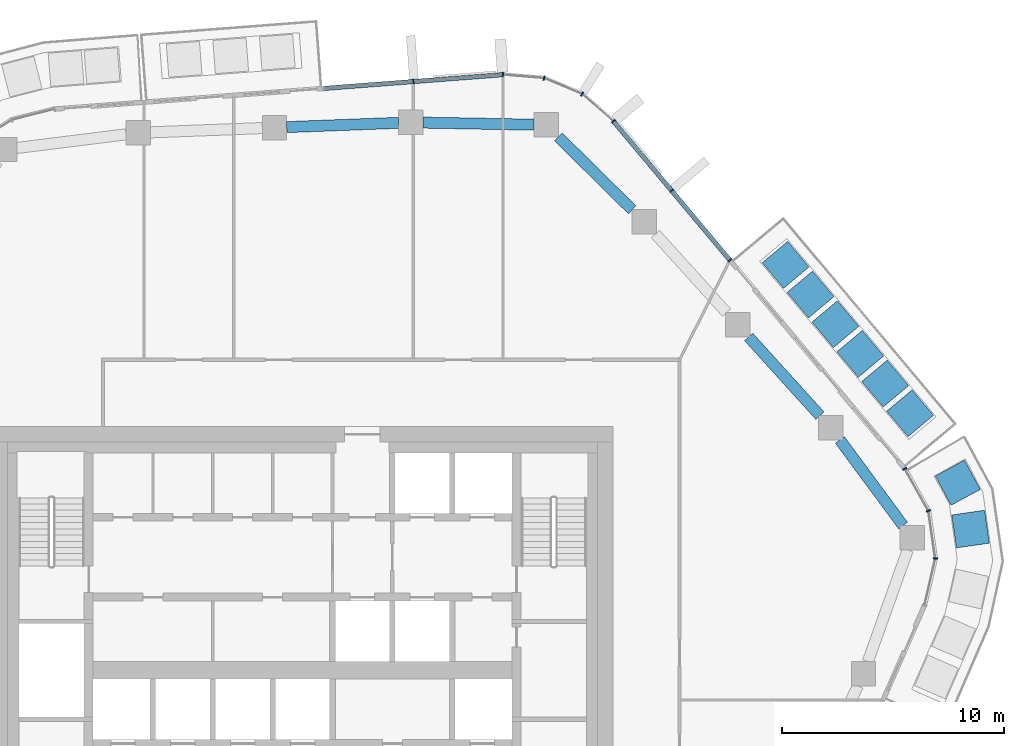
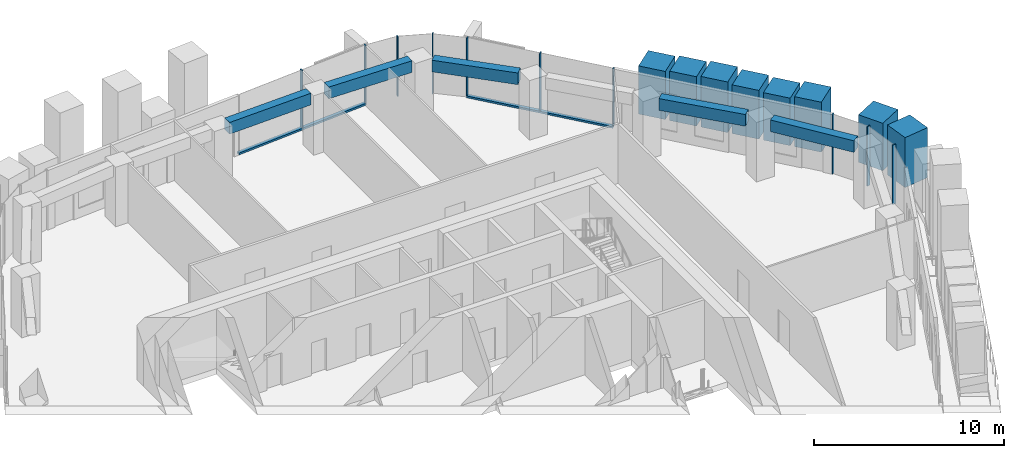
# One storey, part 8 of 20: 20 members, 5 beams, 4 elements without a shape of their own.
"""IFC4 building model written with IfcOpenShell, lengths in metres."""

from ifc_helpers import new_model, si_unit, direction, frame, origin, origin_2d, place, context, subcontext, project, spatial, rectangle, extrude, material, layer, layer_set, material_profile, profile_set, type_object, element, aggregate, save


model = new_model("IFC4")

# Units and contexts
model_context = context("Model", 3, precision=1e-05, world=origin(), true_north=direction((0.0, 1.0)))
body_context = subcontext(model_context, "Body", "Model", "MODEL_VIEW")
ifc_project = project(units=[si_unit("LENGTHUNIT", "METRE"), si_unit("AREAUNIT", "SQUARE_METRE"), si_unit("VOLUMEUNIT", "CUBIC_METRE"), si_unit("PLANEANGLEUNIT", "RADIAN"), si_unit("MASSUNIT", "GRAM", prefix="KILO")], contexts=[model_context])

# Site, building, storey
site_placement = place(None, origin())
site = spatial("IfcSite", under=ifc_project, at=site_placement, CompositionType="ELEMENT")
building_placement = place(site_placement, origin())
building = spatial("IfcBuilding", under=site, at=building_placement, Name="Dongbaek Canopy Tower", CompositionType="ELEMENT")
storey_placement = place(building_placement, frame((0.0, 0.0, 249.60009765625)))
storey = spatial("IfcBuildingStorey", under=building, at=storey_placement, Name="L52", CompositionType="ELEMENT", Elevation=249.60009765625)

# Curtain wall, members
ifc_material_1 = material(Name="Aluminium 6063-T6 pale anodised", Category="aluminium")
ifc_layer = layer(ifc_material_1, 0.199951171875)
ifc_layer_set = layer_set([ifc_layer], Name="CW-1 unitised tower curtain wall")
curtain_wall_type = type_object("IfcCurtainWallType", Name="CW-1 unitised tower curtain wall", PredefinedType="NOTDEFINED", material=ifc_layer_set)
curtain_wall_1_placement = place(storey_placement, origin())
curtain_wall_1 = element("IfcCurtainWall", 1, at=curtain_wall_1_placement, inside=storey, type_object=curtain_wall_type, Name="CW-1 curtain wall K0.1", PredefinedType="NOTDEFINED")
ifc_material_2 = material(Name="Aluminium 6063-T6 pale anodised", Category="aluminium")
ifc_material_profile_1 = material_profile(ifc_material_2, rectangle(XDim=0.199951171875, YDim=0.06005859375, at=origin_2d()), Name="CW-1 mullion 60 x 200")
ifc_profile_set_1 = profile_set([ifc_material_profile_1], Name="Aluminium 6063-T6 pale anodised")
member_type_1 = type_object("IfcMemberType", Name="CW-1 mullion 60 x 200", PredefinedType="MULLION", material=ifc_profile_set_1)
member_1_placement = place(storey_placement, frame((28.53955078125, 5.045654296875, 0.0), z_axis=(0.0, 0.0, 1.0), x_axis=(0.999117267787, -0.042008156467, 0.0)))
member_1 = element("IfcMember", 2, at=member_1_placement, type_object=member_type_1, Name="CW-1 mullion K0.1.2", PredefinedType="MULLION", context=body_context, shape_type="SweptSolid", body=[
    extrude(rectangle(XDim=0.199951171875, YDim=0.06005859375, at=origin_2d()), origin(), (0.0, 0.0, 1.0), 3.81982421875),
])
member_2_placement = place(storey_placement, frame((28.230712890625, 7.192626953125, 0.0), z_axis=(0.0, 0.0, 1.0), x_axis=(0.946753542922, 0.321959203881, 0.0)))
member_2 = element("IfcMember", 3, at=member_2_placement, type_object=member_type_1, Name="CW-1 mullion K0.1.3", PredefinedType="MULLION", context=body_context, shape_type="SweptSolid", body=[
    extrude(rectangle(XDim=0.199951171875, YDim=0.06005859375, at=origin_2d()), origin(), (0.0, 0.0, 1.0), 3.81982421875),
])
member_3_placement = place(storey_placement, frame((27.162109375, 9.0908203125, 0.0), z_axis=(0.0, 0.0, 1.0), x_axis=(0.871419575453, 0.490538401675, 0.0)))
member_3 = element("IfcMember", 4, at=member_3_placement, type_object=member_type_1, Name="CW-1 mullion K0.1.4", PredefinedType="MULLION", context=body_context, shape_type="SweptSolid", body=[
    extrude(rectangle(XDim=0.199951171875, YDim=0.06005859375, at=origin_2d()), origin(), (0.0, 0.0, 1.0), 3.81982421875),
])
aggregate(curtain_wall_1, [member_1, member_2, member_3])

curtain_wall_2_placement = place(storey_placement, origin())
curtain_wall_2 = element("IfcCurtainWall", 5, at=curtain_wall_2_placement, inside=storey, type_object=curtain_wall_type, Name="CW-1 curtain wall F0.1", PredefinedType="NOTDEFINED")
member_4_placement = place(storey_placement, frame((19.27685546875, 18.497802734375, 0.119873046875), z_axis=(0.0, 0.0, 1.0), x_axis=(0.766375296025, 0.64239310834, 0.0)))
member_4 = element("IfcMember", 6, at=member_4_placement, type_object=member_type_1, Name="CW-1 mullion F0.1.1", PredefinedType="MULLION", context=body_context, shape_type="SweptSolid", body=[
    extrude(rectangle(XDim=0.199951171875, YDim=0.06005859375, at=origin_2d()), origin(), (0.0, 0.0, 1.0), 3.699951171875),
])
member_5_placement = place(storey_placement, frame((16.646484375, 21.6357421875, 0.119873046875), z_axis=(0.0, 0.0, 1.0), x_axis=(0.766375296025, 0.64239310834, 0.0)))
member_5 = element("IfcMember", 7, at=member_5_placement, type_object=member_type_1, Name="CW-1 mullion F0.1.2", PredefinedType="MULLION", context=body_context, shape_type="SweptSolid", body=[
    extrude(rectangle(XDim=0.199951171875, YDim=0.06005859375, at=origin_2d()), origin(), (0.0, 0.0, 1.0), 3.699951171875),
])
member_6_placement = place(storey_placement, frame((14.021240234375, 24.767822265625, 0.119873046875), z_axis=(0.0, 0.0, 1.0), x_axis=(0.766375296025, 0.64239310834, 0.0)))
member_6 = element("IfcMember", 8, at=member_6_placement, type_object=member_type_1, Name="CW-1 mullion F0.1.3", PredefinedType="MULLION", context=body_context, shape_type="SweptSolid", body=[
    extrude(rectangle(XDim=0.199951171875, YDim=0.06005859375, at=origin_2d()), origin(), (0.0, 0.0, 1.0), 3.699951171875),
])

curtain_wall_3_placement = place(storey_placement, origin())
curtain_wall_3 = element("IfcCurtainWall", 9, at=curtain_wall_3_placement, inside=storey, type_object=curtain_wall_type, Name="CW-1 curtain wall K1.1", PredefinedType="NOTDEFINED")
member_7_placement = place(storey_placement, frame((12.61083984375, 25.9921875, 0.0), z_axis=(0.0, 0.0, 1.0), x_axis=(0.528292806273, 0.849062253808, 0.0)))
member_7 = element("IfcMember", 10, at=member_7_placement, type_object=member_type_1, Name="CW-1 mullion K1.1.2", PredefinedType="MULLION", context=body_context, shape_type="SweptSolid", body=[
    extrude(rectangle(XDim=0.199951171875, YDim=0.06005859375, at=origin_2d()), origin(), (0.0, 0.0, 1.0), 3.81982421875),
])
member_8_placement = place(storey_placement, frame((10.896728515625, 26.71337890625, 0.0), z_axis=(0.0, 0.0, 1.0), x_axis=(0.237700437718, 0.971338510463, 0.0)))
member_8 = element("IfcMember", 11, at=member_8_placement, type_object=member_type_1, Name="CW-1 mullion K1.1.3", PredefinedType="MULLION", context=body_context, shape_type="SweptSolid", body=[
    extrude(rectangle(XDim=0.199951171875, YDim=0.06005859375, at=origin_2d()), origin(), (0.0, 0.0, 1.0), 3.81982421875),
])
member_9_placement = place(storey_placement, frame((9.03515625, 26.86572265625, 0.0), z_axis=(0.0, 0.0, 1.0), x_axis=(0.081611441315, 0.996664222618, 0.0)))
member_9 = element("IfcMember", 12, at=member_9_placement, type_object=member_type_1, Name="CW-1 mullion K1.1.4", PredefinedType="MULLION", context=body_context, shape_type="SweptSolid", body=[
    extrude(rectangle(XDim=0.199951171875, YDim=0.06005859375, at=origin_2d()), origin(), (0.0, 0.0, 1.0), 3.81982421875),
])
aggregate(curtain_wall_3, [member_7, member_8, member_9])

# Curtain wall, member
curtain_wall_4_placement = place(storey_placement, origin())
curtain_wall_4 = element("IfcCurtainWall", 13, at=curtain_wall_4_placement, inside=storey, type_object=curtain_wall_type, Name="CW-1 curtain wall F1.1", PredefinedType="NOTDEFINED")
member_10_placement = place(storey_placement, frame((4.994140625, 26.5556640625, 0.119873046875), z_axis=(0.0, 0.0, 1.0), x_axis=(-0.076518262748, 0.997068179949, 0.0)))
member_10 = element("IfcMember", 14, at=member_10_placement, type_object=member_type_1, Name="CW-1 mullion F1.1.2", PredefinedType="MULLION", context=body_context, shape_type="SweptSolid", body=[
    extrude(rectangle(XDim=0.199951171875, YDim=0.06005859375, at=origin_2d()), origin(), (0.0, 0.0, 1.0), 3.699951171875),
])

# Member
ifc_material_3 = material(Name="Aluminium 6063-T6 pale anodised", Category="aluminium")
ifc_material_profile_2 = material_profile(ifc_material_3, rectangle(XDim=0.199951171875, YDim=0.1201171875, at=origin_2d()), Name="CW-1 transom 120 x 200")
ifc_profile_set_2 = profile_set([ifc_material_profile_2], Name="Aluminium 6063-T6 pale anodised")
member_type_2 = type_object("IfcMemberType", Name="CW-1 transom 120 x 200", PredefinedType="USERDEFINED", material=ifc_profile_set_2)
member_11_placement = place(storey_placement, frame((19.27685546875, 18.497802734375, 0.059814453125), z_axis=(-0.642389019021, 0.766378723766, 0.0), x_axis=(-0.766378723766, -0.642389019021, 0.0)))
member_11 = element("IfcMember", 15, at=member_11_placement, type_object=member_type_2, Name="CW-1 transom F0.1.1", ObjectType="TRANSOM", PredefinedType="USERDEFINED", context=body_context, shape_type="SweptSolid", body=[
    extrude(rectangle(XDim=0.199951171875, YDim=0.1201171875, at=origin_2d()), origin(), (0.0, 0.0, 1.0), 8.181396484375),
])

aggregate(curtain_wall_2, [member_4, member_5, member_6, member_11])

member_12_placement = place(storey_placement, frame((9.03515625, 26.86572265625, 0.059814453125), z_axis=(-0.997068275016, -0.076517023972, 0.0), x_axis=(0.076517023972, -0.997068275016, 0.0)))
member_12 = element("IfcMember", 16, at=member_12_placement, type_object=member_type_2, Name="CW-1 transom F1.1.1", ObjectType="TRANSOM", PredefinedType="USERDEFINED", context=body_context, shape_type="SweptSolid", body=[
    extrude(rectangle(XDim=0.199951171875, YDim=0.1201171875, at=origin_2d()), origin(), (0.0, 0.0, 1.0), 8.11376953125),
])

aggregate(curtain_wall_4, [member_10, member_12])

# Beams
ifc_material_4 = material(Name="Concrete C70", Category="concrete")
ifc_material_profile_3 = material_profile(ifc_material_4, rectangle(XDim=0.5, YDim=0.75, at=origin_2d()), Name="RC EDGE BEAM 500x750 C70")
ifc_profile_set_3 = profile_set([ifc_material_profile_3], Name="Concrete C70")
beam_type = type_object("IfcBeamType", Name="RC EDGE BEAM 500x750 C70", PredefinedType="BEAM", material=ifc_profile_set_3)
beam_1_placement = place(storey_placement, frame((-0.716064453125, 24.5, 3.44482421875), z_axis=(0.999269359521, 0.038219721647, 0.0), x_axis=(-0.038219721647, 0.999269359521, 0.0)))
element("IfcBeam", 17, at=beam_1_placement, inside=storey, type_object=beam_type, Name="EDGEBEAM:L52:15", PredefinedType="BEAM", context=body_context, shape_type="SweptSolid", body=[
    extrude(rectangle(XDim=0.5, YDim=0.75, at=origin_2d()), origin(), (0.0, 0.0, 1.0), 5.052734375),
])
beam_2_placement = place(storey_placement, frame((5.43310546875, 24.70361328125, 3.44482421875), z_axis=(0.999822914654, -0.018818590065, 0.0), x_axis=(0.018818590065, 0.999822914654, 0.0)))
element("IfcBeam", 18, at=beam_2_placement, inside=storey, type_object=beam_type, Name="EDGEBEAM:L52:16", PredefinedType="BEAM", context=body_context, shape_type="SweptSolid", body=[
    extrude(rectangle(XDim=0.5, YDim=0.75, at=origin_2d()), origin(), (0.0, 0.0, 1.0), 5.0078125),
])
beam_3_placement = place(storey_placement, frame((11.5400390625, 24.05615234375, 3.44482421875), z_axis=(0.711738619198, -0.70244440203, 0.0), x_axis=(0.70244440203, 0.711738619198, 0.0)))
element("IfcBeam", 19, at=beam_3_placement, inside=storey, type_object=beam_type, Name="EDGEBEAM:L52:17", PredefinedType="BEAM", context=body_context, shape_type="SweptSolid", body=[
    extrude(rectangle(XDim=0.5, YDim=0.75, at=origin_2d()), origin(), (0.0, 0.0, 1.0), 4.67578125),
])
beam_4_placement = place(storey_placement, frame((20.123046875, 15.033935546875, 3.44482421875), z_axis=(0.671218045362, -0.741259964911, 0.0), x_axis=(0.741259964911, 0.671218045362, 0.0)))
element("IfcBeam", 20, at=beam_4_placement, inside=storey, type_object=beam_type, Name="EDGEBEAM:L52:19", PredefinedType="BEAM", context=body_context, shape_type="SweptSolid", body=[
    extrude(rectangle(XDim=0.5, YDim=0.75, at=origin_2d()), origin(), (0.0, 0.0, 1.0), 4.7822265625),
])
beam_5_placement = place(storey_placement, frame((24.23681640625, 10.388916015625, 3.44482421875), z_axis=(0.593714292615, -0.804675921564, 0.0), x_axis=(0.804675921564, 0.593714292615, 0.0)))
element("IfcBeam", 21, at=beam_5_placement, inside=storey, type_object=beam_type, Name="EDGEBEAM:L52:20", PredefinedType="BEAM", context=body_context, shape_type="SweptSolid", body=[
    extrude(rectangle(XDim=0.5, YDim=0.75, at=origin_2d()), origin(), (0.0, 0.0, 1.0), 4.79931640625),
])

# Members
ifc_material_5 = material(Name="Concrete C40/50 planter mass with planting", Category="concrete")
ifc_material_profile_4 = material_profile(ifc_material_5, rectangle(XDim=1.5, YDim=1.5, at=origin_2d()), Name="Terrace PLANTER shrub mass 1500 x 1500")
ifc_profile_set_4 = profile_set([ifc_material_profile_4], Name="Concrete C40/50 planter mass with planting")
member_type_3 = type_object("IfcMemberType", Name="Terrace PLANTER shrub mass 1500 x 1500", PredefinedType="USERDEFINED", material=ifc_profile_set_4)
member_13_placement = place(storey_placement, frame((27.400390625, 11.5927734375, 0.419921875), z_axis=(0.0, 0.0, 1.0), x_axis=(0.766375296025, 0.64239310834, 0.0)))
element("IfcMember", 22, at=member_13_placement, inside=storey, type_object=member_type_3, Name="Planter shrubs L52 1.1", ObjectType="PLANTER", PredefinedType="USERDEFINED", context=body_context, shape_type="SweptSolid", body=[
    extrude(rectangle(XDim=1.5, YDim=1.5, at=origin_2d()), origin(), (0.0, 0.0, 1.0), 3.2099609375),
])
member_14_placement = place(storey_placement, frame((26.278076171875, 12.931884765625, 0.419921875), z_axis=(0.0, 0.0, 1.0), x_axis=(0.766375296025, 0.64239310834, 0.0)))
element("IfcMember", 23, at=member_14_placement, inside=storey, type_object=member_type_3, Name="Planter shrubs L52 1.2", ObjectType="PLANTER", PredefinedType="USERDEFINED", context=body_context, shape_type="SweptSolid", body=[
    extrude(rectangle(XDim=1.5, YDim=1.5, at=origin_2d()), origin(), (0.0, 0.0, 1.0), 3.050048828125),
])
member_15_placement = place(storey_placement, frame((25.155517578125, 14.27099609375, 0.419921875), z_axis=(0.0, 0.0, 1.0), x_axis=(0.766375296025, 0.64239310834, 0.0)))
element("IfcMember", 24, at=member_15_placement, inside=storey, type_object=member_type_3, Name="Planter shrubs L52 1.3", ObjectType="PLANTER", PredefinedType="USERDEFINED", context=body_context, shape_type="SweptSolid", body=[
    extrude(rectangle(XDim=1.5, YDim=1.5, at=origin_2d()), origin(), (0.0, 0.0, 1.0), 3.1298828125),
])
member_16_placement = place(storey_placement, frame((24.033203125, 15.610107421875, 0.419921875), z_axis=(0.0, 0.0, 1.0), x_axis=(0.766375296025, 0.64239310834, 0.0)))
element("IfcMember", 25, at=member_16_placement, inside=storey, type_object=member_type_3, Name="Planter shrubs L52 1.4", ObjectType="PLANTER", PredefinedType="USERDEFINED", context=body_context, shape_type="SweptSolid", body=[
    extrude(rectangle(XDim=1.5, YDim=1.5, at=origin_2d()), origin(), (0.0, 0.0, 1.0), 3.25),
])
member_17_placement = place(storey_placement, frame((22.91064453125, 16.94921875, 0.419921875), z_axis=(0.0, 0.0, 1.0), x_axis=(0.766375296025, 0.64239310834, 0.0)))
element("IfcMember", 26, at=member_17_placement, inside=storey, type_object=member_type_3, Name="Planter shrubs L52 1.5", ObjectType="PLANTER", PredefinedType="USERDEFINED", context=body_context, shape_type="SweptSolid", body=[
    extrude(rectangle(XDim=1.5, YDim=1.5, at=origin_2d()), origin(), (0.0, 0.0, 1.0), 3.169921875),
])
member_18_placement = place(storey_placement, frame((21.7880859375, 18.288330078125, 0.419921875), z_axis=(0.0, 0.0, 1.0), x_axis=(0.766375296025, 0.64239310834, 0.0)))
element("IfcMember", 27, at=member_18_placement, inside=storey, type_object=member_type_3, Name="Planter shrubs L52 1.6", ObjectType="PLANTER", PredefinedType="USERDEFINED", context=body_context, shape_type="SweptSolid", body=[
    extrude(rectangle(XDim=1.5, YDim=1.5, at=origin_2d()), origin(), (0.0, 0.0, 1.0), 3.090087890625),
])
member_19_placement = place(storey_placement, frame((30.12841796875, 6.369873046875, 0.419921875), z_axis=(0.0, 0.0, 1.0), x_axis=(0.989808750638, 0.142403079882, 0.0)))
element("IfcMember", 28, at=member_19_placement, inside=storey, type_object=member_type_3, Name="Planter shrubs L52 6.4", ObjectType="PLANTER", PredefinedType="USERDEFINED", context=body_context, shape_type="SweptSolid", body=[
    extrude(rectangle(XDim=1.5, YDim=1.5, at=origin_2d()), origin(), (0.0, 0.0, 1.0), 3.2099609375),
])
member_20_placement = place(storey_placement, frame((29.55517578125, 8.459228515625, 0.419921875), z_axis=(0.0, 0.0, 1.0), x_axis=(0.88028939917, 0.474437112491, 0.0)))
element("IfcMember", 29, at=member_20_placement, inside=storey, type_object=member_type_3, Name="Planter shrubs L52 6.5", ObjectType="PLANTER", PredefinedType="USERDEFINED", context=body_context, shape_type="SweptSolid", body=[
    extrude(rectangle(XDim=1.5, YDim=1.5, at=origin_2d()), origin(), (0.0, 0.0, 1.0), 3.050048828125),
])

save(model, "model.ifc")
